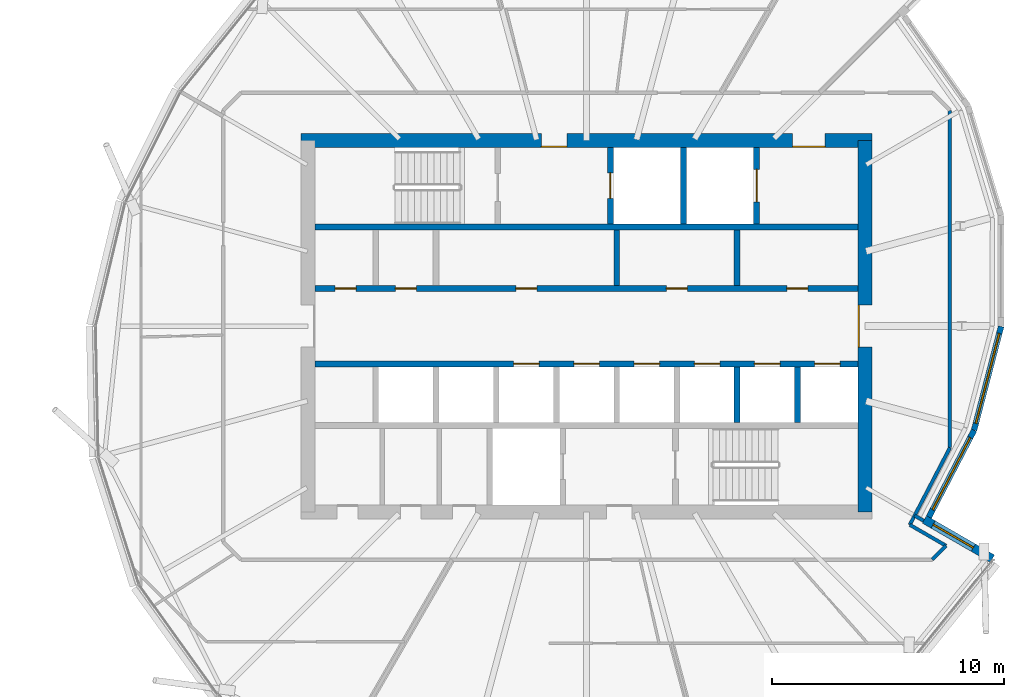
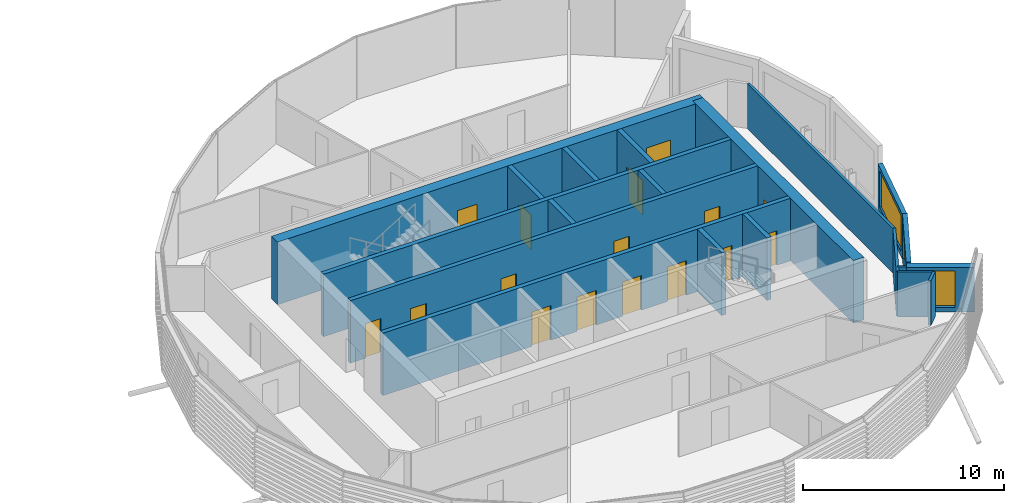
# One storey, part 23 of 37: 20 walls, 16 doors, 3 windows, 19 openings.
"""IFC4 building model written with IfcOpenShell, lengths in metres."""

from ifc_helpers import new_model, si_unit, direction, frame, frame_2d, origin, place, context, subcontext, project, spatial, rectangle, extrude, material, layer, layer_set, type_object, element, fill, save


model = new_model("IFC4")

# Units and contexts
model_context = context("Model", 3, precision=1e-05, world=origin(), true_north=direction((0.0, 1.0)))
body_context = subcontext(model_context, "Body", "Model", "MODEL_VIEW")
ifc_project = project(units=[si_unit("LENGTHUNIT", "METRE"), si_unit("AREAUNIT", "SQUARE_METRE"), si_unit("VOLUMEUNIT", "CUBIC_METRE"), si_unit("PLANEANGLEUNIT", "RADIAN"), si_unit("MASSUNIT", "GRAM", prefix="KILO")], contexts=[model_context])

# Site, building, storey
site_placement = place(None, origin())
site = spatial("IfcSite", under=ifc_project, at=site_placement, CompositionType="ELEMENT")
building_placement = place(site_placement, origin())
building = spatial("IfcBuilding", under=site, at=building_placement, Name="Rimbun Link Towers", CompositionType="ELEMENT")
storey_placement = place(building_placement, frame((0.0, 0.0, 166.5)))
storey = spatial("IfcBuildingStorey", under=building, at=storey_placement, Name="L40", CompositionType="ELEMENT", Elevation=166.5)

# Wall, opening, window
ifc_material_1 = material(Name="Dark enamelled glass spandrel on insulated aluminium backpan", Category="aluminium")
ifc_layer_1 = layer(ifc_material_1, 0.25)
ifc_layer_set_1 = layer_set([ifc_layer_1], Name="CS dark enamelled spandrel wall 250")
wall_type_1 = type_object("IfcWallType", Name="CS dark enamelled spandrel wall 250", PredefinedType="STANDARD", material=ifc_layer_set_1)
wall_1_placement = place(storey_placement, frame((48.44287109375, -4.486572265625, 0.0), z_axis=(0.0, 0.0, 1.0), x_axis=(-0.461704688685, -0.887033697469, 0.0)))
wall_1 = element("IfcWall", 1, at=wall_1_placement, inside=storey, type_object=wall_type_1, Name="Crease spandrel wall", PredefinedType="STANDARD", context=body_context, shape_type="SweptSolid", body=[
    extrude(rectangle(XDim=4.21484375, YDim=0.25, at=frame_2d((2.107421875, 0.0))), origin(), (0.0, 0.0, 1.0), 2.79931640625),
])
opening_1_placement = place(wall_1_placement, frame((0.357421875, 0.0, 0.300048828125)))
opening_1 = element("IfcOpeningElement", 2, at=opening_1_placement, cuts=wall_1, Name="Opening WR35H220", PredefinedType="OPENING", context=body_context, shape_type="SweptSolid", body=[
    extrude(rectangle(XDim=3.5, YDim=2.199951171875, at=frame_2d((1.75, 1.10009765625))), frame((0.0, 0.135009765625, 0.0), z_axis=(0.0, -1.0, 0.0), x_axis=(1.0, 0.0, 0.0)), (0.0, 0.0, 1.0), 0.27001953125),
])
ifc_material_2 = material(Name="Aluminium framed fixed window, dark tinted low-e glass", Category="aluminium")
window_type_1 = type_object("IfcWindowType", Name="WR ribbon window 3500X2200", PartitioningType="SINGLE_PANEL", PredefinedType="WINDOW", material=ifc_material_2)
window_1_placement = place(opening_1_placement, origin())
window_1 = element("IfcWindow", 3, at=window_1_placement, inside=storey, type_object=window_type_1, Name="Crease ribbon window", OverallHeight=2.199951171875, OverallWidth=3.5, PartitioningType="SINGLE_PANEL", PredefinedType="WINDOW", context=body_context, shape_type="SweptSolid", body=[
    extrude(rectangle(XDim=3.5, YDim=2.199951171875, at=frame_2d((1.75, 1.10009765625))), frame((0.0, 0.030029296875, 0.0), z_axis=(0.0, -1.0, 0.0), x_axis=(1.0, 0.0, 0.0)), (0.0, 0.0, 1.0), 0.06005859375),
])
fill(opening_1, window_1)

wall_2_placement = place(storey_placement, frame((49.607177734375, -0.015869140625, 0.0), z_axis=(0.0, 0.0, 1.0), x_axis=(-0.252023891892, -0.967721012439, 0.0)))
wall_2 = element("IfcWall", 4, at=wall_2_placement, inside=storey, type_object=wall_type_1, Name="Crease spandrel wall", PredefinedType="STANDARD", context=body_context, shape_type="SweptSolid", body=[
    extrude(rectangle(XDim=4.619873046875, YDim=0.25, at=frame_2d((2.31005859375, 0.0))), origin(), (0.0, 0.0, 1.0), 2.7216796875),
])
opening_2_placement = place(wall_2_placement, frame((0.309814453125, 0.0, 0.300048828125)))
opening_2 = element("IfcOpeningElement", 5, at=opening_2_placement, cuts=wall_2, Name="Opening WR40H220", PredefinedType="OPENING", context=body_context, shape_type="SweptSolid", body=[
    extrude(rectangle(XDim=4.0, YDim=2.199951171875, at=frame_2d((2.0, 1.10009765625))), frame((0.0, 0.135009765625, 0.0), z_axis=(0.0, -1.0, 0.0), x_axis=(1.0, 0.0, 0.0)), (0.0, 0.0, 1.0), 0.27001953125),
])
ifc_material_3 = material(Name="Aluminium framed fixed window, dark tinted low-e glass", Category="aluminium")
window_type_2 = type_object("IfcWindowType", Name="WR ribbon window 4000X2200", PartitioningType="SINGLE_PANEL", PredefinedType="WINDOW", material=ifc_material_3)
window_2_placement = place(opening_2_placement, origin())
window_2 = element("IfcWindow", 6, at=window_2_placement, inside=storey, type_object=window_type_2, Name="Crease ribbon window", OverallHeight=2.199951171875, OverallWidth=4.0, PartitioningType="SINGLE_PANEL", PredefinedType="WINDOW", context=body_context, shape_type="SweptSolid", body=[
    extrude(rectangle(XDim=4.0, YDim=2.199951171875, at=frame_2d((2.0, 1.10009765625))), frame((0.0, 0.030029296875, 0.0), z_axis=(0.0, -1.0, 0.0), x_axis=(1.0, 0.0, 0.0)), (0.0, 0.0, 1.0), 0.06005859375),
])
fill(opening_2, window_2)

ifc_material_4 = material(Name="Dark enamelled glass spandrel on insulated aluminium backpan", Category="aluminium")
ifc_layer_2 = layer(ifc_material_4, 0.3701171875)
ifc_layer_set_2 = layer_set([ifc_layer_2], Name="CS dark enamelled spandrel wall 370")
wall_type_2 = type_object("IfcWallType", Name="CS dark enamelled spandrel wall 370", PredefinedType="STANDARD", material=ifc_layer_set_2)
wall_3_placement = place(storey_placement, frame((46.305419921875, -8.32861328125, 0.0), z_axis=(0.0, 0.0, 1.0), x_axis=(0.866038843867, -0.499976720371, 0.0)))
wall_3 = element("IfcWall", 7, at=wall_3_placement, inside=storey, type_object=wall_type_2, Name="Crease spandrel wall", PredefinedType="STANDARD", context=body_context, shape_type="SweptSolid", body=[
    extrude(rectangle(XDim=3.380126953125, YDim=0.3701171875, at=frame_2d((1.68994140625, 0.0))), origin(), (0.0, 0.0, 1.0), 2.7216796875),
])
opening_3_placement = place(wall_3_placement, frame((0.431884765625, 0.0, 0.300048828125)))
opening_3 = element("IfcOpeningElement", 8, at=opening_3_placement, cuts=wall_3, Name="Opening WR20H220", PredefinedType="OPENING", context=body_context, shape_type="SweptSolid", body=[
    extrude(rectangle(XDim=2.0, YDim=2.199951171875, at=frame_2d((1.0, 1.10009765625))), frame((0.0, 0.195068359375, 0.0), z_axis=(0.0, -1.0, 0.0), x_axis=(1.0, 0.0, 0.0)), (0.0, 0.0, 1.0), 0.39013671875),
])
ifc_material_5 = material(Name="Aluminium framed fixed window, dark tinted low-e glass", Category="aluminium")
window_type_3 = type_object("IfcWindowType", Name="WR ribbon window 2000X2200", PartitioningType="SINGLE_PANEL", PredefinedType="WINDOW", material=ifc_material_5)
window_3_placement = place(opening_3_placement, origin())
window_3 = element("IfcWindow", 9, at=window_3_placement, inside=storey, type_object=window_type_3, Name="Crease ribbon window", OverallHeight=2.199951171875, OverallWidth=2.0, PartitioningType="SINGLE_PANEL", PredefinedType="WINDOW", context=body_context, shape_type="SweptSolid", body=[
    extrude(rectangle(XDim=2.0, YDim=2.199951171875, at=frame_2d((1.0, 1.10009765625))), frame((0.0, 0.030029296875, 0.0), z_axis=(0.0, -1.0, 0.0), x_axis=(1.0, 0.0, 0.0)), (0.0, 0.0, 1.0), 0.06005859375),
])
fill(opening_3, window_3)

# Wall, openings, doors
ifc_material_6 = material(Name="Concrete C60/75", Category="concrete")
ifc_layer_3 = layer(ifc_material_6, 0.60009765625)
ifc_layer_set_3 = layer_set([ifc_layer_3], Name="Core shear wall 600")
wall_type_3 = type_object("IfcWallType", Name="Core shear wall 600", PredefinedType="SHEAR", material=ifc_layer_set_3)
wall_4_placement = place(storey_placement, frame((19.449951171875, 8.0, 0.0), z_axis=(0.0, 0.0, 1.0), x_axis=(1.0, 0.0, 0.0)))
wall_4 = element("IfcWall", 10, at=wall_4_placement, inside=storey, type_object=wall_type_3, Name="L40 T2 core wall N", PredefinedType="SHEAR", context=body_context, shape_type="SweptSolid", body=[
    extrude(rectangle(XDim=24.60009765625, YDim=0.60009765625, at=frame_2d((12.300048828125, 0.0))), origin(), (0.0, 0.0, 1.0), 3.800048828125),
])
opening_4_placement = place(wall_4_placement, frame((10.35009765625, 0.0, 0.0)))
opening_4 = element("IfcOpeningElement", 11, at=opening_4_placement, cuts=wall_4, Name="Opening C2DCF01N", PredefinedType="OPENING", context=body_context, shape_type="SweptSolid", body=[
    extrude(rectangle(XDim=1.10009765625, YDim=2.10009765625, at=frame_2d((0.550048828125, 1.050048828125))), frame((0.0, 0.31005859375, 0.0), z_axis=(0.0, -1.0, 0.0), x_axis=(1.0, 0.0, 0.0)), (0.0, 0.0, 1.0), 0.6201171875),
])
opening_5_placement = place(wall_4_placement, frame((21.175048828125, 0.0, 0.0)))
opening_5 = element("IfcOpeningElement", 12, at=opening_5_placement, cuts=wall_4, Name="Opening C2DSL02N", PredefinedType="OPENING", context=body_context, shape_type="SweptSolid", body=[
    extrude(rectangle(XDim=1.39990234375, YDim=2.10009765625, at=frame_2d((0.699951171875, 1.050048828125))), frame((0.0, 0.31005859375, 0.0), z_axis=(0.0, -1.0, 0.0), x_axis=(1.0, 0.0, 0.0)), (0.0, 0.0, 1.0), 0.6201171875),
])
ifc_material_7 = material(Name="Steel fire door set", Category="steel")
door_type_1 = type_object("IfcDoorType", Name="Core fire door single", OperationType="SINGLE_SWING_LEFT", PredefinedType="DOOR", material=ifc_material_7)
door_1_placement = place(opening_4_placement, origin())
door_1 = element("IfcDoor", 13, at=door_1_placement, inside=storey, type_object=door_type_1, Name="L40 T2 firefighting lobby n door", OperationType="SINGLE_SWING_LEFT", OverallHeight=2.10009765625, OverallWidth=1.10009765625, PredefinedType="DOOR", context=body_context, shape_type="SweptSolid", body=[
    extrude(rectangle(XDim=1.10009765625, YDim=2.10009765625, at=frame_2d((0.550048828125, 1.050048828125))), frame((0.0, -0.25, 0.0), z_axis=(0.0, -1.0, 0.0), x_axis=(1.0, 0.0, 0.0)), (0.0, 0.0, 1.0), 0.050048828125),
])
fill(opening_4, door_1)
ifc_material_8 = material(Name="Steel fire door set", Category="steel")
door_type_2 = type_object("IfcDoorType", Name="Service lobby door double", OperationType="DOUBLE_DOOR_SINGLE_SWING", PredefinedType="DOOR", material=ifc_material_8)
door_2_placement = place(opening_5_placement, origin())
door_2 = element("IfcDoor", 14, at=door_2_placement, inside=storey, type_object=door_type_2, Name="L40 T2 service lobby door", OperationType="DOUBLE_DOOR_SINGLE_SWING", OverallHeight=2.10009765625, OverallWidth=1.39990234375, PredefinedType="DOOR", context=body_context, shape_type="SweptSolid", body=[
    extrude(rectangle(XDim=1.39990234375, YDim=2.10009765625, at=frame_2d((0.699951171875, 1.050048828125))), frame((0.0, -0.25, 0.0), z_axis=(0.0, -1.0, 0.0), x_axis=(1.0, 0.0, 0.0)), (0.0, 0.0, 1.0), 0.050048828125),
])
fill(opening_5, door_2)

# Wall, opening, door
wall_5_placement = place(storey_placement, frame((43.75, -8.0, 0.0), z_axis=(0.0, 0.0, 1.0), x_axis=(0.0, 1.0, 0.0)))
wall_5 = element("IfcWall", 15, at=wall_5_placement, inside=storey, type_object=wall_type_3, Name="L40 T2 core wall E", PredefinedType="SHEAR", context=body_context, shape_type="SweptSolid", body=[
    extrude(rectangle(XDim=16.0, YDim=0.60009765625, at=frame_2d((8.0, 0.0))), origin(), (0.0, 0.0, 1.0), 3.800048828125),
])
opening_6_placement = place(wall_5_placement, frame((7.10009765625, 0.0, 0.0)))
opening_6 = element("IfcOpeningElement", 16, at=opening_6_placement, cuts=wall_5, Name="Opening C2DCL01E", PredefinedType="OPENING", context=body_context, shape_type="SweptSolid", body=[
    extrude(rectangle(XDim=1.800048828125, YDim=2.10009765625, at=frame_2d((0.89990234375, 1.050048828125))), frame((0.0, 0.31005859375, 0.0), z_axis=(0.0, -1.0, 0.0), x_axis=(1.0, 0.0, 0.0)), (0.0, 0.0, 1.0), 0.6201171875),
])
ifc_material_9 = material(Name="Steel fire door set", Category="steel")
door_type_3 = type_object("IfcDoorType", Name="Core lobby door double", OperationType="DOUBLE_DOOR_SINGLE_SWING", PredefinedType="DOOR", material=ifc_material_9)
door_3_placement = place(opening_6_placement, origin())
door_3 = element("IfcDoor", 17, at=door_3_placement, inside=storey, type_object=door_type_3, Name="L40 T2 lift lobby door", OperationType="DOUBLE_DOOR_SINGLE_SWING", OverallHeight=2.10009765625, OverallWidth=1.800048828125, PredefinedType="DOOR", context=body_context, shape_type="SweptSolid", body=[
    extrude(rectangle(XDim=1.800048828125, YDim=2.10009765625, at=frame_2d((0.89990234375, 1.050048828125))), frame((0.0, 0.2998046875, 0.0), z_axis=(0.0, -1.0, 0.0), x_axis=(1.0, 0.0, 0.0)), (0.0, 0.0, 1.0), 0.050048828125),
])
fill(opening_6, door_3)

# Walls
ifc_material_10 = material(Name="Plasterboard on steel stud, mineral wool", Category="steel")
ifc_layer_4 = layer(ifc_material_10, 0.14990234375)
ifc_layer_set_4 = layer_set([ifc_layer_4], Name="Corridor wall EI 30 150 mm")
wall_type_4 = type_object("IfcWallType", Name="Corridor wall EI 30 150 mm", PredefinedType="PARTITIONING", material=ifc_layer_set_4)
wall_6_placement = place(storey_placement, frame((47.405029296875, -5.235107421875, 0.0), z_axis=(0.0, 0.0, 1.0), x_axis=(0.0, 1.0, 0.0)))
element("IfcWall", 18, at=wall_6_placement, inside=storey, type_object=wall_type_4, Name="Corridor wall EI 30 150 mm", PredefinedType="PARTITIONING", context=body_context, shape_type="SweptSolid", body=[
    extrude(rectangle(XDim=14.52880859375, YDim=0.14990234375, at=frame_2d((7.264404296875, 0.0))), origin(), (0.0, 0.0, 1.0), 2.7119140625),
])
wall_7_placement = place(storey_placement, frame((45.6748046875, -8.55908203125, 0.0), z_axis=(0.0, 0.0, 1.0), x_axis=(0.461721937832, 0.887024719004, 0.0)))
element("IfcWall", 19, at=wall_7_placement, inside=storey, type_object=wall_type_4, Name="Corridor wall EI 30 150 mm", PredefinedType="PARTITIONING", context=body_context, shape_type="SweptSolid", body=[
    extrude(rectangle(XDim=3.747314453125, YDim=0.14990234375, at=frame_2d((1.87353515625, 0.0))), origin(), (0.0, 0.0, 1.0), 2.7119140625),
])
wall_8_placement = place(storey_placement, frame((47.2373046875, -9.461181640625, 0.0), z_axis=(0.0, 0.0, 1.0), x_axis=(-0.866027848477, 0.499995765644, 0.0)))
element("IfcWall", 20, at=wall_8_placement, inside=storey, type_object=wall_type_4, Name="Corridor wall EI 30 150 mm", PredefinedType="PARTITIONING", context=body_context, shape_type="SweptSolid", body=[
    extrude(rectangle(XDim=1.80419921875, YDim=0.14990234375, at=frame_2d((0.902099609375, 0.0))), origin(), (0.0, 0.0, 1.0), 2.7119140625),
])
wall_9_placement = place(storey_placement, frame((46.643798828125, -10.054931640625, 0.0), z_axis=(0.0, 0.0, 1.0), x_axis=(0.706961360773, 0.707252171699, 0.0)))
element("IfcWall", 21, at=wall_9_placement, inside=storey, type_object=wall_type_4, Name="Corridor wall EI 30 150 mm", PredefinedType="PARTITIONING", context=body_context, shape_type="SweptSolid", body=[
    extrude(rectangle(XDim=0.839599609375, YDim=0.14990234375, at=frame_2d((0.419921875, 0.0))), origin(), (0.0, 0.0, 1.0), 2.7119140625),
])
ifc_material_11 = material(Name="Concrete C60/75", Category="concrete")
ifc_layer_5 = layer(ifc_material_11, 0.25)
ifc_layer_set_5 = layer_set([ifc_layer_5], Name="Shaft wall 250")
wall_type_5 = type_object("IfcWallType", Name="Shaft wall 250", PredefinedType="SHEAR", material=ifc_layer_set_5)
wall_10_placement = place(storey_placement, frame((20.050048828125, 4.27490234375, 0.0), z_axis=(0.0, 0.0, 1.0), x_axis=(1.0, 0.0, 0.0)))
element("IfcWall", 22, at=wall_10_placement, inside=storey, type_object=wall_type_5, Name="L40 T2 core wall BN", PredefinedType="SHEAR", context=body_context, shape_type="SweptSolid", body=[
    extrude(rectangle(XDim=23.39990234375, YDim=0.25, at=frame_2d((11.699951171875, 0.0))), origin(), (0.0, 0.0, 1.0), 3.800048828125),
])

# Wall, openings, doors
wall_11_placement = place(storey_placement, frame((20.050048828125, 1.625, 0.0), z_axis=(0.0, 0.0, 1.0), x_axis=(1.0, 0.0, 0.0)))
wall_11 = element("IfcWall", 23, at=wall_11_placement, inside=storey, type_object=wall_type_5, Name="L40 T2 core wall FN", PredefinedType="SHEAR", context=body_context, shape_type="SweptSolid", body=[
    extrude(rectangle(XDim=23.39990234375, YDim=0.25, at=frame_2d((11.699951171875, 0.0))), origin(), (0.0, 0.0, 1.0), 3.800048828125),
])
opening_7_placement = place(wall_11_placement, frame((0.872314453125, 0.0, 0.0)))
opening_7 = element("IfcOpeningElement", 24, at=opening_7_placement, cuts=wall_11, Name="Opening C2DRS01FN", PredefinedType="OPENING", context=body_context, shape_type="SweptSolid", body=[
    extrude(rectangle(XDim=0.89990234375, YDim=2.10009765625, at=frame_2d((0.449951171875, 1.050048828125))), frame((0.0, 0.135009765625, 0.0), z_axis=(0.0, -1.0, 0.0), x_axis=(1.0, 0.0, 0.0)), (0.0, 0.0, 1.0), 0.27001953125),
])
opening_8_placement = place(wall_11_placement, frame((3.466796875, 0.0, 0.0)))
opening_8 = element("IfcOpeningElement", 25, at=opening_8_placement, cuts=wall_11, Name="Opening C2DRS02FN", PredefinedType="OPENING", context=body_context, shape_type="SweptSolid", body=[
    extrude(rectangle(XDim=0.89990234375, YDim=2.10009765625, at=frame_2d((0.449951171875, 1.050048828125))), frame((0.0, 0.135009765625, 0.0), z_axis=(0.0, -1.0, 0.0), x_axis=(1.0, 0.0, 0.0)), (0.0, 0.0, 1.0), 0.27001953125),
])
opening_9_placement = place(wall_11_placement, frame((8.655517578125, 0.0, 0.0)))
opening_9 = element("IfcOpeningElement", 26, at=opening_9_placement, cuts=wall_11, Name="Opening C2DRS03FN", PredefinedType="OPENING", context=body_context, shape_type="SweptSolid", body=[
    extrude(rectangle(XDim=0.89990234375, YDim=2.10009765625, at=frame_2d((0.449951171875, 1.050048828125))), frame((0.0, 0.135009765625, 0.0), z_axis=(0.0, -1.0, 0.0), x_axis=(1.0, 0.0, 0.0)), (0.0, 0.0, 1.0), 0.27001953125),
])
opening_10_placement = place(wall_11_placement, frame((15.1416015625, 0.0, 0.0)))
opening_10 = element("IfcOpeningElement", 27, at=opening_10_placement, cuts=wall_11, Name="Opening C2DRS04FN", PredefinedType="OPENING", context=body_context, shape_type="SweptSolid", body=[
    extrude(rectangle(XDim=0.89990234375, YDim=2.10009765625, at=frame_2d((0.449951171875, 1.050048828125))), frame((0.0, 0.135009765625, 0.0), z_axis=(0.0, -1.0, 0.0), x_axis=(1.0, 0.0, 0.0)), (0.0, 0.0, 1.0), 0.27001953125),
])
opening_11_placement = place(wall_11_placement, frame((20.33056640625, 0.0, 0.0)))
opening_11 = element("IfcOpeningElement", 28, at=opening_11_placement, cuts=wall_11, Name="Opening C2DRS05FN", PredefinedType="OPENING", context=body_context, shape_type="SweptSolid", body=[
    extrude(rectangle(XDim=0.89990234375, YDim=2.10009765625, at=frame_2d((0.449951171875, 1.050048828125))), frame((0.0, 0.135009765625, 0.0), z_axis=(0.0, -1.0, 0.0), x_axis=(1.0, 0.0, 0.0)), (0.0, 0.0, 1.0), 0.27001953125),
])
ifc_material_12 = material(Name="Steel fire door set", Category="steel")
door_type_4 = type_object("IfcDoorType", Name="Core riser door", OperationType="SINGLE_SWING_LEFT", PredefinedType="DOOR", material=ifc_material_12)
door_4_placement = place(opening_7_placement, origin())
door_4 = element("IfcDoor", 29, at=door_4_placement, inside=storey, type_object=door_type_4, Name="L40 T2 pantry door", OperationType="SINGLE_SWING_LEFT", OverallHeight=2.10009765625, OverallWidth=0.89990234375, PredefinedType="DOOR", context=body_context, shape_type="SweptSolid", body=[
    extrude(rectangle(XDim=0.89990234375, YDim=2.10009765625, at=frame_2d((0.449951171875, 1.050048828125))), frame((0.0, 0.02490234375, 0.0), z_axis=(0.0, -1.0, 0.0), x_axis=(1.0, 0.0, 0.0)), (0.0, 0.0, 1.0), 0.050048828125),
])
fill(opening_7, door_4)
door_5_placement = place(opening_8_placement, origin())
door_5 = element("IfcDoor", 30, at=door_5_placement, inside=storey, type_object=door_type_4, Name="L40 T2 stationery store door", OperationType="SINGLE_SWING_RIGHT", OverallHeight=2.10009765625, OverallWidth=0.89990234375, PredefinedType="DOOR", context=body_context, shape_type="SweptSolid", body=[
    extrude(rectangle(XDim=0.89990234375, YDim=2.10009765625, at=frame_2d((0.449951171875, 1.050048828125))), frame((0.0, 0.02490234375, 0.0), z_axis=(0.0, -1.0, 0.0), x_axis=(1.0, 0.0, 0.0)), (0.0, 0.0, 1.0), 0.050048828125),
])
fill(opening_8, door_5)
door_6_placement = place(opening_9_placement, origin())
door_6 = element("IfcDoor", 31, at=door_6_placement, inside=storey, type_object=door_type_4, Name="L40 T2 training store door", OperationType="SINGLE_SWING_LEFT", OverallHeight=2.10009765625, OverallWidth=0.89990234375, PredefinedType="DOOR", context=body_context, shape_type="SweptSolid", body=[
    extrude(rectangle(XDim=0.89990234375, YDim=2.10009765625, at=frame_2d((0.449951171875, 1.050048828125))), frame((0.0, 0.02490234375, 0.0), z_axis=(0.0, -1.0, 0.0), x_axis=(1.0, 0.0, 0.0)), (0.0, 0.0, 1.0), 0.050048828125),
])
fill(opening_9, door_6)
door_7_placement = place(opening_10_placement, origin())
door_7 = element("IfcDoor", 32, at=door_7_placement, inside=storey, type_object=door_type_4, Name="L40 T2 print room door", OperationType="SINGLE_SWING_LEFT", OverallHeight=2.10009765625, OverallWidth=0.89990234375, PredefinedType="DOOR", context=body_context, shape_type="SweptSolid", body=[
    extrude(rectangle(XDim=0.89990234375, YDim=2.10009765625, at=frame_2d((0.449951171875, 1.050048828125))), frame((0.0, 0.02490234375, 0.0), z_axis=(0.0, -1.0, 0.0), x_axis=(1.0, 0.0, 0.0)), (0.0, 0.0, 1.0), 0.050048828125),
])
fill(opening_10, door_7)
door_8_placement = place(opening_11_placement, origin())
door_8 = element("IfcDoor", 33, at=door_8_placement, inside=storey, type_object=door_type_4, Name="L40 T2 staff lounge door", OperationType="SINGLE_SWING_LEFT", OverallHeight=2.10009765625, OverallWidth=0.89990234375, PredefinedType="DOOR", context=body_context, shape_type="SweptSolid", body=[
    extrude(rectangle(XDim=0.89990234375, YDim=2.10009765625, at=frame_2d((0.449951171875, 1.050048828125))), frame((0.0, 0.02490234375, 0.0), z_axis=(0.0, -1.0, 0.0), x_axis=(1.0, 0.0, 0.0)), (0.0, 0.0, 1.0), 0.050048828125),
])
fill(opening_11, door_8)

wall_12_placement = place(storey_placement, frame((20.050048828125, -1.625, 0.0), z_axis=(0.0, 0.0, 1.0), x_axis=(1.0, 0.0, 0.0)))
wall_12 = element("IfcWall", 34, at=wall_12_placement, inside=storey, type_object=wall_type_5, Name="L40 T2 core wall FS", PredefinedType="SHEAR", context=body_context, shape_type="SweptSolid", body=[
    extrude(rectangle(XDim=23.39990234375, YDim=0.25, at=frame_2d((11.699951171875, 0.0))), origin(), (0.0, 0.0, 1.0), 3.800048828125),
])
opening_12_placement = place(wall_12_placement, frame((8.5556640625, 0.0, 0.0)))
opening_12 = element("IfcOpeningElement", 35, at=opening_12_placement, cuts=wall_12, Name="Opening LD-T2-HR1", PredefinedType="OPENING", context=body_context, shape_type="SweptSolid", body=[
    extrude(rectangle(XDim=1.10009765625, YDim=2.10009765625, at=frame_2d((0.550048828125, 1.050048828125))), frame((0.0, 0.135009765625, 0.0), z_axis=(0.0, -1.0, 0.0), x_axis=(1.0, 0.0, 0.0)), (0.0, 0.0, 1.0), 0.27001953125),
])
opening_13_placement = place(wall_12_placement, frame((11.14990234375, 0.0, 0.0)))
opening_13 = element("IfcOpeningElement", 36, at=opening_13_placement, cuts=wall_12, Name="Opening LD-T2-HR2", PredefinedType="OPENING", context=body_context, shape_type="SweptSolid", body=[
    extrude(rectangle(XDim=1.10009765625, YDim=2.10009765625, at=frame_2d((0.550048828125, 1.050048828125))), frame((0.0, 0.135009765625, 0.0), z_axis=(0.0, -1.0, 0.0), x_axis=(1.0, 0.0, 0.0)), (0.0, 0.0, 1.0), 0.27001953125),
])
opening_14_placement = place(wall_12_placement, frame((13.744384765625, 0.0, 0.0)))
opening_14 = element("IfcOpeningElement", 37, at=opening_14_placement, cuts=wall_12, Name="Opening LD-T2-HR3", PredefinedType="OPENING", context=body_context, shape_type="SweptSolid", body=[
    extrude(rectangle(XDim=1.10009765625, YDim=2.10009765625, at=frame_2d((0.550048828125, 1.050048828125))), frame((0.0, 0.135009765625, 0.0), z_axis=(0.0, -1.0, 0.0), x_axis=(1.0, 0.0, 0.0)), (0.0, 0.0, 1.0), 0.27001953125),
])
opening_15_placement = place(wall_12_placement, frame((16.3388671875, 0.0, 0.0)))
opening_15 = element("IfcOpeningElement", 38, at=opening_15_placement, cuts=wall_12, Name="Opening LD-T2-HR4", PredefinedType="OPENING", context=body_context, shape_type="SweptSolid", body=[
    extrude(rectangle(XDim=1.10009765625, YDim=2.10009765625, at=frame_2d((0.550048828125, 1.050048828125))), frame((0.0, 0.135009765625, 0.0), z_axis=(0.0, -1.0, 0.0), x_axis=(1.0, 0.0, 0.0)), (0.0, 0.0, 1.0), 0.27001953125),
])
opening_16_placement = place(wall_12_placement, frame((18.933349609375, 0.0, 0.0)))
opening_16 = element("IfcOpeningElement", 39, at=opening_16_placement, cuts=wall_12, Name="Opening LD-T2-HR5", PredefinedType="OPENING", context=body_context, shape_type="SweptSolid", body=[
    extrude(rectangle(XDim=1.10009765625, YDim=2.10009765625, at=frame_2d((0.550048828125, 1.050048828125))), frame((0.0, 0.135009765625, 0.0), z_axis=(0.0, -1.0, 0.0), x_axis=(1.0, 0.0, 0.0)), (0.0, 0.0, 1.0), 0.27001953125),
])
opening_17_placement = place(wall_12_placement, frame((21.52783203125, 0.0, 0.0)))
opening_17 = element("IfcOpeningElement", 40, at=opening_17_placement, cuts=wall_12, Name="Opening LD-T2-HR6", PredefinedType="OPENING", context=body_context, shape_type="SweptSolid", body=[
    extrude(rectangle(XDim=1.10009765625, YDim=2.10009765625, at=frame_2d((0.550048828125, 1.050048828125))), frame((0.0, 0.135009765625, 0.0), z_axis=(0.0, -1.0, 0.0), x_axis=(1.0, 0.0, 0.0)), (0.0, 0.0, 1.0), 0.27001953125),
])
ifc_material_13 = material(Name="Stainless steel grade 316", Category="steel")
door_type_5 = type_object("IfcDoorType", Name="Lift landing door", OperationType="DOUBLE_DOOR_SLIDING", PredefinedType="DOOR", material=ifc_material_13)
door_9_placement = place(opening_12_placement, origin())
door_9 = element("IfcDoor", 41, at=door_9_placement, inside=storey, type_object=door_type_5, Name="L40 T2 lift HR1 landing door", OperationType="DOUBLE_DOOR_SLIDING", OverallHeight=2.10009765625, OverallWidth=1.10009765625, PredefinedType="DOOR", context=body_context, shape_type="SweptSolid", body=[
    extrude(rectangle(XDim=1.10009765625, YDim=2.10009765625, at=frame_2d((0.550048828125, 1.050048828125))), frame((0.0, 0.02490234375, 0.0), z_axis=(0.0, -1.0, 0.0), x_axis=(1.0, 0.0, 0.0)), (0.0, 0.0, 1.0), 0.050048828125),
])
fill(opening_12, door_9)
door_10_placement = place(opening_13_placement, origin())
door_10 = element("IfcDoor", 42, at=door_10_placement, inside=storey, type_object=door_type_5, Name="L40 T2 lift HR2 landing door", OperationType="DOUBLE_DOOR_SLIDING", OverallHeight=2.10009765625, OverallWidth=1.10009765625, PredefinedType="DOOR", context=body_context, shape_type="SweptSolid", body=[
    extrude(rectangle(XDim=1.10009765625, YDim=2.10009765625, at=frame_2d((0.550048828125, 1.050048828125))), frame((0.0, 0.02490234375, 0.0), z_axis=(0.0, -1.0, 0.0), x_axis=(1.0, 0.0, 0.0)), (0.0, 0.0, 1.0), 0.050048828125),
])
fill(opening_13, door_10)
door_11_placement = place(opening_14_placement, origin())
door_11 = element("IfcDoor", 43, at=door_11_placement, inside=storey, type_object=door_type_5, Name="L40 T2 lift HR3 landing door", OperationType="DOUBLE_DOOR_SLIDING", OverallHeight=2.10009765625, OverallWidth=1.10009765625, PredefinedType="DOOR", context=body_context, shape_type="SweptSolid", body=[
    extrude(rectangle(XDim=1.10009765625, YDim=2.10009765625, at=frame_2d((0.550048828125, 1.050048828125))), frame((0.0, 0.02490234375, 0.0), z_axis=(0.0, -1.0, 0.0), x_axis=(1.0, 0.0, 0.0)), (0.0, 0.0, 1.0), 0.050048828125),
])
fill(opening_14, door_11)
door_12_placement = place(opening_15_placement, origin())
door_12 = element("IfcDoor", 44, at=door_12_placement, inside=storey, type_object=door_type_5, Name="L40 T2 lift HR4 landing door", OperationType="DOUBLE_DOOR_SLIDING", OverallHeight=2.10009765625, OverallWidth=1.10009765625, PredefinedType="DOOR", context=body_context, shape_type="SweptSolid", body=[
    extrude(rectangle(XDim=1.10009765625, YDim=2.10009765625, at=frame_2d((0.550048828125, 1.050048828125))), frame((0.0, 0.02490234375, 0.0), z_axis=(0.0, -1.0, 0.0), x_axis=(1.0, 0.0, 0.0)), (0.0, 0.0, 1.0), 0.050048828125),
])
fill(opening_15, door_12)
door_13_placement = place(opening_16_placement, origin())
door_13 = element("IfcDoor", 45, at=door_13_placement, inside=storey, type_object=door_type_5, Name="L40 T2 lift HR5 landing door", OperationType="DOUBLE_DOOR_SLIDING", OverallHeight=2.10009765625, OverallWidth=1.10009765625, PredefinedType="DOOR", context=body_context, shape_type="SweptSolid", body=[
    extrude(rectangle(XDim=1.10009765625, YDim=2.10009765625, at=frame_2d((0.550048828125, 1.050048828125))), frame((0.0, 0.02490234375, 0.0), z_axis=(0.0, -1.0, 0.0), x_axis=(1.0, 0.0, 0.0)), (0.0, 0.0, 1.0), 0.050048828125),
])
fill(opening_16, door_13)
door_14_placement = place(opening_17_placement, origin())
door_14 = element("IfcDoor", 46, at=door_14_placement, inside=storey, type_object=door_type_5, Name="L40 T2 lift HR6 landing door", OperationType="DOUBLE_DOOR_SLIDING", OverallHeight=2.10009765625, OverallWidth=1.10009765625, PredefinedType="DOOR", context=body_context, shape_type="SweptSolid", body=[
    extrude(rectangle(XDim=1.10009765625, YDim=2.10009765625, at=frame_2d((0.550048828125, 1.050048828125))), frame((0.0, 0.02490234375, 0.0), z_axis=(0.0, -1.0, 0.0), x_axis=(1.0, 0.0, 0.0)), (0.0, 0.0, 1.0), 0.050048828125),
])
fill(opening_17, door_14)

# Walls
for number, where, z_axis, x_axis, name in (
    (47, (33.047119140625, 1.75, 0.0), (0.0, 0.0, 1.0), (0.0, 1.0, 0.0), "L40 T2 core wall DN4"),
    (48, (38.236083984375, 1.75, 0.0), (0.0, 0.0, 1.0), (0.0, 1.0, 0.0), "L40 T2 core wall DN6"),
    (49, (38.236083984375, -4.14990234375, 0.0), (0.0, 0.0, 1.0), (0.0, 1.0, 0.0), "L40 T2 core wall DS6"),
    (50, (40.83056640625, -4.14990234375, 0.0), (0.0, 0.0, 1.0), (0.0, 1.0, 0.0), "L40 T2 core wall DS7"),
):
    element("IfcWall", number, at=place(storey_placement, frame(where, z_axis=z_axis, x_axis=x_axis)), inside=storey, type_object=wall_type_5, Name=name, PredefinedType="SHEAR", context=body_context, shape_type="SweptSolid", body=[
        extrude(rectangle(XDim=2.39990234375, YDim=0.25, at=frame_2d((1.199951171875, 0.0))), origin(), (0.0, 0.0, 1.0), 3.800048828125),
    ])

# Wall, opening, door
wall_13_placement = place(storey_placement, frame((32.77490234375, 4.39990234375, 0.0), z_axis=(0.0, 0.0, 1.0), x_axis=(0.0, 1.0, 0.0)))
wall_13 = element("IfcWall", 51, at=wall_13_placement, inside=storey, type_object=wall_type_5, Name="L40 T2 core wall A2", PredefinedType="SHEAR", context=body_context, shape_type="SweptSolid", body=[
    extrude(rectangle(XDim=3.300048828125, YDim=0.25, at=frame_2d((1.64990234375, 0.0))), origin(), (0.0, 0.0, 1.0), 3.800048828125),
])
opening_18_placement = place(wall_13_placement, frame((1.10009765625, 0.0, 0.0)))
opening_18 = element("IfcOpeningElement", 52, at=opening_18_placement, cuts=wall_13, Name="Opening LD-T2-FF1", PredefinedType="OPENING", context=body_context, shape_type="SweptSolid", body=[
    extrude(rectangle(XDim=1.10009765625, YDim=2.10009765625, at=frame_2d((0.550048828125, 1.050048828125))), frame((0.0, 0.135009765625, 0.0), z_axis=(0.0, -1.0, 0.0), x_axis=(1.0, 0.0, 0.0)), (0.0, 0.0, 1.0), 0.27001953125),
])
door_15_placement = place(opening_18_placement, origin())
door_15 = element("IfcDoor", 53, at=door_15_placement, inside=storey, type_object=door_type_5, Name="L40 T2 lift FF1 landing door", OperationType="DOUBLE_DOOR_SLIDING", OverallHeight=2.10009765625, OverallWidth=1.10009765625, PredefinedType="DOOR", context=body_context, shape_type="SweptSolid", body=[
    extrude(rectangle(XDim=1.10009765625, YDim=2.10009765625, at=frame_2d((0.550048828125, 1.050048828125))), frame((0.0, 0.02490234375, 0.0), z_axis=(0.0, -1.0, 0.0), x_axis=(1.0, 0.0, 0.0)), (0.0, 0.0, 1.0), 0.050048828125),
])
fill(opening_18, door_15)

# Wall
wall_14_placement = place(storey_placement, frame((35.925048828125, 4.39990234375, 0.0), z_axis=(0.0, 0.0, 1.0), x_axis=(0.0, 1.0, 0.0)))
element("IfcWall", 54, at=wall_14_placement, inside=storey, type_object=wall_type_5, Name="L40 T2 core wall A3", PredefinedType="SHEAR", context=body_context, shape_type="SweptSolid", body=[
    extrude(rectangle(XDim=3.300048828125, YDim=0.25, at=frame_2d((1.64990234375, 0.0))), origin(), (0.0, 0.0, 1.0), 3.800048828125),
])

# Wall, opening, door
wall_15_placement = place(storey_placement, frame((39.074951171875, 4.39990234375, 0.0), z_axis=(0.0, 0.0, 1.0), x_axis=(0.0, 1.0, 0.0)))
wall_15 = element("IfcWall", 55, at=wall_15_placement, inside=storey, type_object=wall_type_5, Name="L40 T2 core wall A4", PredefinedType="SHEAR", context=body_context, shape_type="SweptSolid", body=[
    extrude(rectangle(XDim=3.300048828125, YDim=0.25, at=frame_2d((1.64990234375, 0.0))), origin(), (0.0, 0.0, 1.0), 3.800048828125),
])
opening_19_placement = place(wall_15_placement, frame((0.949951171875, 0.0, 0.0)))
opening_19 = element("IfcOpeningElement", 56, at=opening_19_placement, cuts=wall_15, Name="Opening LD-T2-GL1", PredefinedType="OPENING", context=body_context, shape_type="SweptSolid", body=[
    extrude(rectangle(XDim=1.39990234375, YDim=2.10009765625, at=frame_2d((0.699951171875, 1.050048828125))), frame((0.0, 0.135009765625, 0.0), z_axis=(0.0, -1.0, 0.0), x_axis=(1.0, 0.0, 0.0)), (0.0, 0.0, 1.0), 0.27001953125),
])
ifc_material_14 = material(Name="Stainless steel grade 316", Category="steel")
door_type_6 = type_object("IfcDoorType", Name="Goods lift landing door", OperationType="DOUBLE_DOOR_SLIDING", PredefinedType="DOOR", material=ifc_material_14)
door_16_placement = place(opening_19_placement, origin())
door_16 = element("IfcDoor", 57, at=door_16_placement, inside=storey, type_object=door_type_6, Name="L40 T2 lift GL1 landing door", OperationType="DOUBLE_DOOR_SLIDING", OverallHeight=2.10009765625, OverallWidth=1.39990234375, PredefinedType="DOOR", context=body_context, shape_type="SweptSolid", body=[
    extrude(rectangle(XDim=1.39990234375, YDim=2.10009765625, at=frame_2d((0.699951171875, 1.050048828125))), frame((0.0, 0.02490234375, 0.0), z_axis=(0.0, -1.0, 0.0), x_axis=(1.0, 0.0, 0.0)), (0.0, 0.0, 1.0), 0.050048828125),
])
fill(opening_19, door_16)

# Wall
ifc_material_15 = material(Name="Plasterboard on steel stud, mineral wool", Category="steel")
ifc_layer_6 = layer(ifc_material_15, 0.14990234375)
ifc_layer_set_6 = layer_set([ifc_layer_6], Name="Tenancy separation wall EI 60 150 mm")
wall_type_6 = type_object("IfcWallType", Name="Tenancy separation wall EI 60 150 mm", PredefinedType="PARTITIONING", material=ifc_layer_set_6)
wall_16_placement = place(storey_placement, frame((45.8828125, -8.15966796875, 0.0), z_axis=(0.0, 0.0, 1.0), x_axis=(0.866167537795, -0.499753735824, 0.0)))
element("IfcWall", 58, at=wall_16_placement, inside=storey, type_object=wall_type_6, Name="Tenancy separation wall EI 60 150 mm", PredefinedType="PARTITIONING", context=body_context, shape_type="SweptSolid", body=[
    extrude(rectangle(XDim=0.450439453125, YDim=0.14990234375, at=frame_2d((0.22509765625, 0.0))), origin(), (0.0, 0.0, 1.0), 2.7119140625),
])

save(model, "model.ifc")
